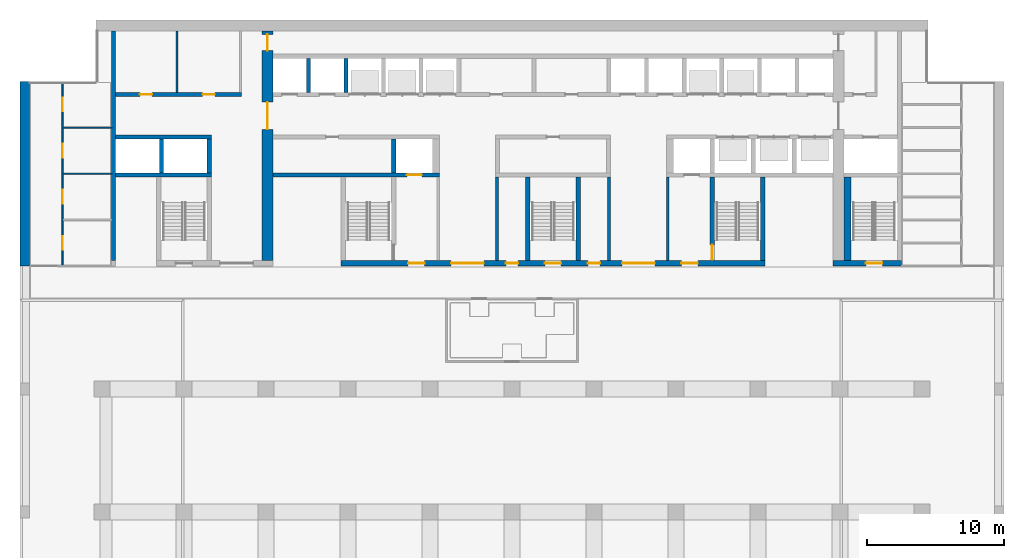
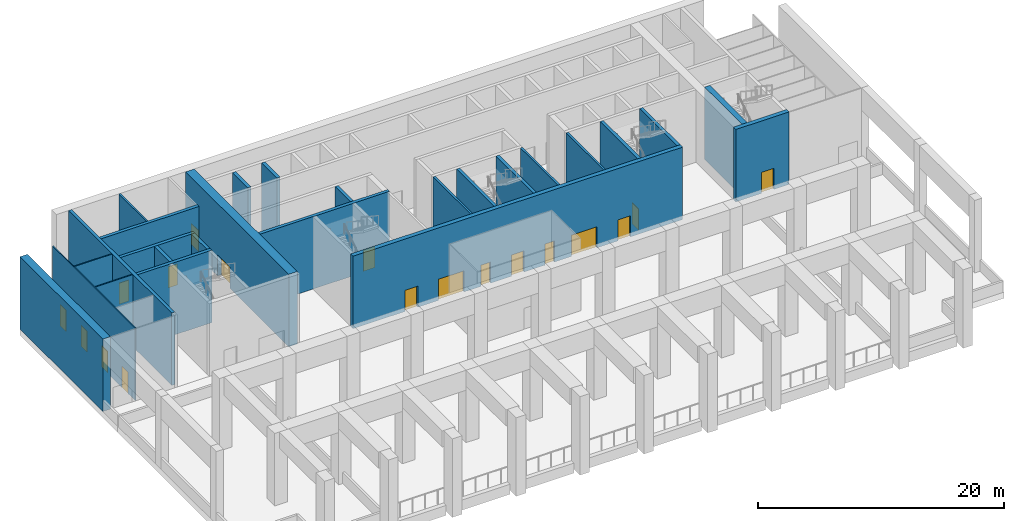
# One storey, part 3 of 10: 26 walls, 18 doors, 18 openings.
"""IFC4 building model written with IfcOpenShell, lengths in metres."""

from ifc_helpers import new_model, si_unit, direction, frame, frame_2d, origin, place, context, subcontext, project, spatial, rectangle, extrude, material, layer, layer_set, type_object, element, fill, save


model = new_model("IFC4")

# Units and contexts
model_context = context("Model", 3, precision=1e-05, world=origin(), true_north=direction((0.0, 1.0)))
body_context = subcontext(model_context, "Body", "Model", "MODEL_VIEW")
ifc_project = project(units=[si_unit("LENGTHUNIT", "METRE"), si_unit("AREAUNIT", "SQUARE_METRE"), si_unit("VOLUMEUNIT", "CUBIC_METRE"), si_unit("PLANEANGLEUNIT", "RADIAN"), si_unit("MASSUNIT", "GRAM", prefix="KILO")], contexts=[model_context])

# Site, building, storey
site_placement = place(None, origin())
site = spatial("IfcSite", under=ifc_project, at=site_placement, CompositionType="ELEMENT")
building_placement = place(site_placement, origin())
building = spatial("IfcBuilding", under=site, at=building_placement, Name="Calvaro Tower", CompositionType="ELEMENT")
storey_placement = place(building_placement, frame((0.0, 0.0, 158.75)))
storey = spatial("IfcBuildingStorey", under=building, at=storey_placement, Name="L40", CompositionType="ELEMENT", Elevation=158.75)

# Walls
ifc_material_1 = material(Name="Blockwork partition", Category="masonry")
ifc_layer_1 = layer(ifc_material_1, 0.14990234375)
ifc_layer_set_1 = layer_set([ifc_layer_1], Name="Blockwork partition")
wall_type_1 = type_object("IfcWallType", Name="Core partition 150 REI 120", PredefinedType="PARTITIONING", material=ifc_layer_set_1)
wall_1_placement = place(storey_placement, frame((11.5, 40.699951171875, 0.0), z_axis=(0.0, 0.0, 1.0), x_axis=(0.0, 1.0, 0.0)))
element("IfcWall", 1, at=wall_1_placement, inside=storey, type_object=wall_type_1, Name="Core partition", PredefinedType="PARTITIONING", context=body_context, shape_type="SweptSolid", body=[
    extrude(rectangle(XDim=4.5, YDim=0.14990234375, at=frame_2d((2.25, 0.0))), origin(), (0.0, 0.0, 1.0), 7.199951171875),
])
ifc_material_2 = material(Name="Blockwork partition", Category="masonry")
ifc_layer_2 = layer(ifc_material_2, 0.199951171875)
ifc_layer_set_2 = layer_set([ifc_layer_2], Name="Blockwork partition")
wall_type_2 = type_object("IfcWallType", Name="Core partition 200 REI 120", PredefinedType="PARTITIONING", material=ifc_layer_set_2)
for number, where, z_axis, x_axis, name in (
    (2, (34.89990234375, 28.39990234375, 0.0), (0.0, 0.0, 1.0), (0.0, 1.0, 0.0), "Core partition"),
    (3, (43.10009765625, 28.39990234375, 0.0), (0.0, 0.0, 1.0), (0.0, 1.0, 0.0), "Core partition"),
    (4, (47.39990234375, 28.39990234375, 0.0), (0.0, 0.0, 1.0), (0.0, 1.0, 0.0), "Core partition"),
):
    element("IfcWall", number, at=place(storey_placement, frame(where, z_axis=z_axis, x_axis=x_axis)), inside=storey, type_object=wall_type_2, Name=name, PredefinedType="PARTITIONING", context=body_context, shape_type="SweptSolid", body=[
        extrude(rectangle(XDim=6.10009765625, YDim=0.199951171875, at=frame_2d((3.050048828125, 0.0))), origin(), (0.0, 0.0, 1.0), 7.199951171875),
    ])

# Wall, openings, doors
ifc_material_3 = material(Name="Blockwork partition", Category="masonry")
ifc_layer_3 = layer(ifc_material_3, 0.300048828125)
ifc_layer_set_3 = layer_set([ifc_layer_3], Name="Blockwork partition")
wall_type_3 = type_object("IfcWallType", Name="Core partition 300 REI 120", PredefinedType="PARTITIONING", material=ifc_layer_set_3)
wall_2_placement = place(storey_placement, frame((7.0, 40.550048828125, 0.0), z_axis=(0.0, 0.0, 1.0), x_axis=(1.0, 0.0, 0.0)))
wall_2 = element("IfcWall", 5, at=wall_2_placement, inside=storey, type_object=wall_type_3, Name="Core partition", PredefinedType="PARTITIONING", context=body_context, shape_type="SweptSolid", body=[
    extrude(rectangle(XDim=9.199951171875, YDim=0.300048828125, at=frame_2d((4.60009765625, 0.0))), origin(), (0.0, 0.0, 1.0), 7.199951171875),
])
opening_1_placement = place(wall_2_placement, frame((1.762451171875, 0.0, 0.0)))
opening_1 = element("IfcOpeningElement", 6, at=opening_1_placement, cuts=wall_2, Name="Opening RD9E", PredefinedType="OPENING", context=body_context, shape_type="SweptSolid", body=[
    extrude(rectangle(XDim=0.89990234375, YDim=2.10009765625, at=frame_2d((0.449951171875, 1.050048828125))), frame((0.0, 0.159912109375, 0.0), z_axis=(0.0, -1.0, 0.0), x_axis=(1.0, 0.0, 0.0)), (0.0, 0.0, 1.0), 0.320068359375),
])
opening_2_placement = place(wall_2_placement, frame((6.362548828125, 0.0, 0.0)))
opening_2 = element("IfcOpeningElement", 7, at=opening_2_placement, cuts=wall_2, Name="Opening RD9E", PredefinedType="OPENING", context=body_context, shape_type="SweptSolid", body=[
    extrude(rectangle(XDim=0.89990234375, YDim=2.10009765625, at=frame_2d((0.449951171875, 1.050048828125))), frame((0.0, 0.159912109375, 0.0), z_axis=(0.0, -1.0, 0.0), x_axis=(1.0, 0.0, 0.0)), (0.0, 0.0, 1.0), 0.320068359375),
])
ifc_material_4 = material(Name="Steel door set", Category="steel")
door_type_1 = type_object("IfcDoorType", Name="Room door 900 FD60", OperationType="SINGLE_SWING_LEFT", PredefinedType="DOOR", material=ifc_material_4)
door_1_placement = place(opening_1_placement, origin())
door_1 = element("IfcDoor", 8, at=door_1_placement, inside=storey, type_object=door_type_1, Name="Room door", OperationType="SINGLE_SWING_LEFT", OverallHeight=2.10009765625, OverallWidth=0.89990234375, PredefinedType="DOOR", context=body_context, shape_type="SweptSolid", body=[
    extrude(rectangle(XDim=0.89990234375, YDim=2.10009765625, at=frame_2d((0.449951171875, 1.050048828125))), frame((0.0, 0.02490234375, 0.0), z_axis=(0.0, -1.0, 0.0), x_axis=(1.0, 0.0, 0.0)), (0.0, 0.0, 1.0), 0.050048828125),
])
fill(opening_1, door_1)
door_2_placement = place(opening_2_placement, origin())
door_2 = element("IfcDoor", 9, at=door_2_placement, inside=storey, type_object=door_type_1, Name="Room door", OperationType="SINGLE_SWING_LEFT", OverallHeight=2.10009765625, OverallWidth=0.89990234375, PredefinedType="DOOR", context=body_context, shape_type="SweptSolid", body=[
    extrude(rectangle(XDim=0.89990234375, YDim=2.10009765625, at=frame_2d((0.449951171875, 1.050048828125))), frame((0.0, 0.02490234375, 0.0), z_axis=(0.0, -1.0, 0.0), x_axis=(1.0, 0.0, 0.0)), (0.0, 0.0, 1.0), 0.050048828125),
])
fill(opening_2, door_2)

# Walls
ifc_material_5 = material(Name="Concrete C60/75", Category="concrete")
ifc_layer_4 = layer(ifc_material_5, 0.300048828125)
ifc_layer_set_4 = layer_set([ifc_layer_4], Name="Concrete C60/75")
wall_type_4 = type_object("IfcWallType", Name="Core wall C60/75 300", PredefinedType="SHEAR", material=ifc_layer_set_4)
wall_3_placement = place(storey_placement, frame((6.85009765625, 28.39990234375, 0.0), z_axis=(0.0, 0.0, 1.0), x_axis=(0.0, 1.0, 0.0)))
element("IfcWall", 10, at=wall_3_placement, inside=storey, type_object=wall_type_4, Name="Core wall, boundary", PredefinedType="SHEAR", context=body_context, shape_type="SweptSolid", body=[
    extrude(rectangle(XDim=16.800048828125, YDim=0.300048828125, at=frame_2d((8.39990234375, 0.0))), origin(), (0.0, 0.0, 1.0), 7.199951171875),
])
for number, where, z_axis, x_axis, name in (
    (11, (37.14990234375, 28.39990234375, 0.0), (0.0, 0.0, 1.0), (0.0, 1.0, 0.0), "Core wall, stair enclosure"),
    (12, (40.85009765625, 28.39990234375, 0.0), (0.0, 0.0, 1.0), (0.0, 1.0, 0.0), "Core wall, stair enclosure"),
):
    element("IfcWall", number, at=place(storey_placement, frame(where, z_axis=z_axis, x_axis=x_axis)), inside=storey, type_object=wall_type_4, Name=name, PredefinedType="SHEAR", context=body_context, shape_type="SweptSolid", body=[
        extrude(rectangle(XDim=6.10009765625, YDim=0.300048828125, at=frame_2d((3.050048828125, 0.0))), origin(), (0.0, 0.0, 1.0), 7.199951171875),
    ])

# Wall, opening, door
wall_4_placement = place(storey_placement, frame((50.64990234375, 34.5, 0.0), z_axis=(0.0, 0.0, 1.0), x_axis=(0.0, -1.0, 0.0)))
wall_4 = element("IfcWall", 13, at=wall_4_placement, inside=storey, type_object=wall_type_4, Name="Core wall, stair enclosure", PredefinedType="SHEAR", context=body_context, shape_type="SweptSolid", body=[
    extrude(rectangle(XDim=6.10009765625, YDim=0.300048828125, at=frame_2d((3.050048828125, 0.0))), origin(), (0.0, 0.0, 1.0), 7.199951171875),
])
opening_3_placement = place(wall_4_placement, frame((4.949951171875, 0.0, 0.0)))
opening_3 = element("IfcOpeningElement", 14, at=opening_3_placement, cuts=wall_4, Name="Opening FD11D", PredefinedType="OPENING", context=body_context, shape_type="SweptSolid", body=[
    extrude(rectangle(XDim=1.10009765625, YDim=2.10009765625, at=frame_2d((0.550048828125, 1.050048828125))), frame((0.0, 0.159912109375, 0.0), z_axis=(0.0, -1.0, 0.0), x_axis=(1.0, 0.0, 0.0)), (0.0, 0.0, 1.0), 0.320068359375),
])
ifc_material_6 = material(Name="Steel door set", Category="steel")
door_type_2 = type_object("IfcDoorType", Name="Fire door 1100 FD30S", OperationType="SINGLE_SWING_LEFT", PredefinedType="DOOR", material=ifc_material_6)
door_3_placement = place(opening_3_placement, origin())
door_3 = element("IfcDoor", 15, at=door_3_placement, inside=storey, type_object=door_type_2, Name="Fire door", OperationType="SINGLE_SWING_RIGHT", OverallHeight=2.10009765625, OverallWidth=1.10009765625, PredefinedType="DOOR", context=body_context, shape_type="SweptSolid", body=[
    extrude(rectangle(XDim=1.10009765625, YDim=2.10009765625, at=frame_2d((0.550048828125, 1.050048828125))), frame((0.0, 0.02490234375, 0.0), z_axis=(0.0, -1.0, 0.0), x_axis=(1.0, 0.0, 0.0)), (0.0, 0.0, 1.0), 0.050048828125),
])
fill(opening_3, door_3)

# Walls
wall_5_placement = place(storey_placement, frame((54.35009765625, 28.39990234375, 0.0), z_axis=(0.0, 0.0, 1.0), x_axis=(0.0, 1.0, 0.0)))
element("IfcWall", 16, at=wall_5_placement, inside=storey, type_object=wall_type_4, Name="Core wall, stair enclosure", PredefinedType="SHEAR", context=body_context, shape_type="SweptSolid", body=[
    extrude(rectangle(XDim=6.10009765625, YDim=0.300048828125, at=frame_2d((3.050048828125, 0.0))), origin(), (0.0, 0.0, 1.0), 7.199951171875),
])
wall_6_placement = place(storey_placement, frame((7.0, 34.64990234375, 0.0), z_axis=(0.0, 0.0, 1.0), x_axis=(1.0, 0.0, 0.0)))
element("IfcWall", 17, at=wall_6_placement, inside=storey, type_object=wall_type_4, Name="Core wall, lift shaft", PredefinedType="SHEAR", context=body_context, shape_type="SweptSolid", body=[
    extrude(rectangle(XDim=7.0, YDim=0.300048828125, at=frame_2d((3.5, 0.0))), origin(), (0.0, 0.0, 1.0), 7.199951171875),
])

# Wall, opening, door
wall_7_placement = place(storey_placement, frame((18.5, 34.64990234375, 0.0), z_axis=(0.0, 0.0, 1.0), x_axis=(1.0, 0.0, 0.0)))
wall_7 = element("IfcWall", 18, at=wall_7_placement, inside=storey, type_object=wall_type_4, Name="Core wall, lift shaft", PredefinedType="SHEAR", context=body_context, shape_type="SweptSolid", body=[
    extrude(rectangle(XDim=12.199951171875, YDim=0.300048828125, at=frame_2d((6.10009765625, 0.0))), origin(), (0.0, 0.0, 1.0), 7.199951171875),
])
opening_4_placement = place(wall_7_placement, frame((9.800048828125, 0.0, 0.0)))
opening_4 = element("IfcOpeningElement", 19, at=opening_4_placement, cuts=wall_7, Name="Opening FF1", PredefinedType="OPENING", context=body_context, shape_type="SweptSolid", body=[
    extrude(rectangle(XDim=1.10009765625, YDim=2.10009765625, at=frame_2d((0.550048828125, 1.050048828125))), frame((0.0, 0.159912109375, 0.0), z_axis=(0.0, -1.0, 0.0), x_axis=(1.0, 0.0, 0.0)), (0.0, 0.0, 1.0), 0.320068359375),
])
ifc_material_7 = material(Name="Stainless steel", Category="steel")
door_type_3 = type_object("IfcDoorType", Name="Landing door 1100 E 60", OperationType="SLIDING_TO_LEFT", PredefinedType="DOOR", material=ifc_material_7)
door_4_placement = place(opening_4_placement, origin())
door_4 = element("IfcDoor", 20, at=door_4_placement, inside=storey, type_object=door_type_3, Name="Landing door FF1", OperationType="SLIDING_TO_LEFT", OverallHeight=2.10009765625, OverallWidth=1.10009765625, PredefinedType="DOOR", context=body_context, shape_type="SweptSolid", body=[
    extrude(rectangle(XDim=1.10009765625, YDim=2.10009765625, at=frame_2d((0.550048828125, 1.050048828125))), frame((0.0, 0.02490234375, 0.0), z_axis=(0.0, -1.0, 0.0), x_axis=(1.0, 0.0, 0.0)), (0.0, 0.0, 1.0), 0.050048828125),
])
fill(opening_4, door_4)

# Walls
wall_8_placement = place(storey_placement, frame((7.0, 37.449951171875, 0.0), z_axis=(0.0, 0.0, 1.0), x_axis=(1.0, 0.0, 0.0)))
element("IfcWall", 21, at=wall_8_placement, inside=storey, type_object=wall_type_4, Name="Core wall, lift shaft", PredefinedType="SHEAR", context=body_context, shape_type="SweptSolid", body=[
    extrude(rectangle(XDim=7.0, YDim=0.300048828125, at=frame_2d((3.5, 0.0))), origin(), (0.0, 0.0, 1.0), 7.199951171875),
])
for number, where, z_axis, x_axis, name in (
    (22, (27.35009765625, 34.800048828125, 0.0), (0.0, 0.0, 1.0), (0.0, 1.0, 0.0), "Core wall, lift shaft"),
    (23, (13.85009765625, 34.800048828125, 0.0), (0.0, 0.0, 1.0), (0.0, 1.0, 0.0), "Core wall, lift shaft"),
    (24, (21.10009765625, 40.699951171875, 0.0), (0.0, 0.0, 1.0), (0.0, 1.0, 0.0), "Core wall, lift shaft"),
    (25, (23.85009765625, 40.699951171875, 0.0), (0.0, 0.0, 1.0), (0.0, 1.0, 0.0), "Core wall, lift shaft"),
    (26, (10.35009765625, 34.800048828125, 0.0), (0.0, 0.0, 1.0), (0.0, 1.0, 0.0), "Core wall, lift shaft"),
):
    element("IfcWall", number, at=place(storey_placement, frame(where, z_axis=z_axis, x_axis=x_axis)), inside=storey, type_object=wall_type_4, Name=name, PredefinedType="SHEAR", context=body_context, shape_type="SweptSolid", body=[
        extrude(rectangle(XDim=2.5, YDim=0.300048828125, at=frame_2d((1.25, 0.0))), origin(), (0.0, 0.0, 1.0), 7.199951171875),
    ])

# Wall, openings, doors
ifc_material_8 = material(Name="Concrete C60/75", Category="concrete")
ifc_layer_5 = layer(ifc_material_8, 0.39990234375)
ifc_layer_set_5 = layer_set([ifc_layer_5], Name="Concrete C60/75")
wall_type_5 = type_object("IfcWallType", Name="Core wall C60/75 400", PredefinedType="SHEAR", material=ifc_layer_set_5)
wall_9_placement = place(storey_placement, frame((54.5, 28.199951171875, 0.0), z_axis=(0.0, 0.0, 1.0), x_axis=(-1.0, 0.0, 0.0)))
wall_9 = element("IfcWall", 27, at=wall_9_placement, inside=storey, type_object=wall_type_5, Name="Core wall, front", PredefinedType="SHEAR", context=body_context, shape_type="SweptSolid", body=[
    extrude(rectangle(XDim=31.0, YDim=0.39990234375, at=frame_2d((15.5, 0.0))), origin(), (0.0, 0.0, 1.0), 7.199951171875),
])
opening_5_placement = place(wall_9_placement, frame((14.89990234375, 0.0, 0.0)))
opening_5 = element("IfcOpeningElement", 28, at=opening_5_placement, cuts=wall_9, Name="Opening SD12D", PredefinedType="OPENING", context=body_context, shape_type="SweptSolid", body=[
    extrude(rectangle(XDim=1.199951171875, YDim=2.10009765625, at=frame_2d((0.60009765625, 1.050048828125))), frame((0.0, 0.2099609375, 0.0), z_axis=(0.0, -1.0, 0.0), x_axis=(1.0, 0.0, 0.0)), (0.0, 0.0, 1.0), 0.419921875),
])
opening_6_placement = place(wall_9_placement, frame((24.89990234375, 0.0, 0.0)))
opening_6 = element("IfcOpeningElement", 29, at=opening_6_placement, cuts=wall_9, Name="Opening FD12F", PredefinedType="OPENING", context=body_context, shape_type="SweptSolid", body=[
    extrude(rectangle(XDim=1.199951171875, YDim=2.10009765625, at=frame_2d((0.60009765625, 1.050048828125))), frame((0.0, 0.2099609375, 0.0), z_axis=(0.0, -1.0, 0.0), x_axis=(1.0, 0.0, 0.0)), (0.0, 0.0, 1.0), 0.419921875),
])
opening_7_placement = place(wall_9_placement, frame((4.89990234375, 0.0, 0.0)))
opening_7 = element("IfcOpeningElement", 30, at=opening_7_placement, cuts=wall_9, Name="Opening FD12F", PredefinedType="OPENING", context=body_context, shape_type="SweptSolid", body=[
    extrude(rectangle(XDim=1.199951171875, YDim=2.10009765625, at=frame_2d((0.60009765625, 1.050048828125))), frame((0.0, 0.2099609375, 0.0), z_axis=(0.0, -1.0, 0.0), x_axis=(1.0, 0.0, 0.0)), (0.0, 0.0, 1.0), 0.419921875),
])
opening_8_placement = place(wall_9_placement, frame((20.550048828125, 0.0, 0.0)))
opening_8 = element("IfcOpeningElement", 31, at=opening_8_placement, cuts=wall_9, Name="Opening DD24D", PredefinedType="OPENING", context=body_context, shape_type="SweptSolid", body=[
    extrude(rectangle(XDim=2.39990234375, YDim=2.10009765625, at=frame_2d((1.199951171875, 1.050048828125))), frame((0.0, 0.2099609375, 0.0), z_axis=(0.0, -1.0, 0.0), x_axis=(1.0, 0.0, 0.0)), (0.0, 0.0, 1.0), 0.419921875),
])
opening_9_placement = place(wall_9_placement, frame((8.050048828125, 0.0, 0.0)))
opening_9 = element("IfcOpeningElement", 32, at=opening_9_placement, cuts=wall_9, Name="Opening DD24D", PredefinedType="OPENING", context=body_context, shape_type="SweptSolid", body=[
    extrude(rectangle(XDim=2.39990234375, YDim=2.10009765625, at=frame_2d((1.199951171875, 1.050048828125))), frame((0.0, 0.2099609375, 0.0), z_axis=(0.0, -1.0, 0.0), x_axis=(1.0, 0.0, 0.0)), (0.0, 0.0, 1.0), 0.419921875),
])
opening_10_placement = place(wall_9_placement, frame((18.050048828125, 0.0, 0.0)))
opening_10 = element("IfcOpeningElement", 33, at=opening_10_placement, cuts=wall_9, Name="Opening RD9E", PredefinedType="OPENING", context=body_context, shape_type="SweptSolid", body=[
    extrude(rectangle(XDim=0.89990234375, YDim=2.10009765625, at=frame_2d((0.449951171875, 1.050048828125))), frame((0.0, 0.2099609375, 0.0), z_axis=(0.0, -1.0, 0.0), x_axis=(1.0, 0.0, 0.0)), (0.0, 0.0, 1.0), 0.419921875),
])
opening_11_placement = place(wall_9_placement, frame((12.050048828125, 0.0, 0.0)))
opening_11 = element("IfcOpeningElement", 34, at=opening_11_placement, cuts=wall_9, Name="Opening RD9E", PredefinedType="OPENING", context=body_context, shape_type="SweptSolid", body=[
    extrude(rectangle(XDim=0.89990234375, YDim=2.10009765625, at=frame_2d((0.449951171875, 1.050048828125))), frame((0.0, 0.2099609375, 0.0), z_axis=(0.0, -1.0, 0.0), x_axis=(1.0, 0.0, 0.0)), (0.0, 0.0, 1.0), 0.419921875),
])
ifc_material_9 = material(Name="Steel door set", Category="steel")
door_type_4 = type_object("IfcDoorType", Name="Fire door 1200 FD60S", OperationType="SINGLE_SWING_LEFT", PredefinedType="DOOR", material=ifc_material_9)
door_5_placement = place(opening_6_placement, origin())
door_5 = element("IfcDoor", 35, at=door_5_placement, inside=storey, type_object=door_type_4, Name="Fire door", OperationType="SINGLE_SWING_RIGHT", OverallHeight=2.10009765625, OverallWidth=1.199951171875, PredefinedType="DOOR", context=body_context, shape_type="SweptSolid", body=[
    extrude(rectangle(XDim=1.199951171875, YDim=2.10009765625, at=frame_2d((0.60009765625, 1.050048828125))), frame((0.0, 0.02490234375, 0.0), z_axis=(0.0, -1.0, 0.0), x_axis=(1.0, 0.0, 0.0)), (0.0, 0.0, 1.0), 0.050048828125),
])
fill(opening_6, door_5)
door_6_placement = place(opening_7_placement, origin())
door_6 = element("IfcDoor", 36, at=door_6_placement, inside=storey, type_object=door_type_4, Name="Fire door", OperationType="SINGLE_SWING_RIGHT", OverallHeight=2.10009765625, OverallWidth=1.199951171875, PredefinedType="DOOR", context=body_context, shape_type="SweptSolid", body=[
    extrude(rectangle(XDim=1.199951171875, YDim=2.10009765625, at=frame_2d((0.60009765625, 1.050048828125))), frame((0.0, 0.02490234375, 0.0), z_axis=(0.0, -1.0, 0.0), x_axis=(1.0, 0.0, 0.0)), (0.0, 0.0, 1.0), 0.050048828125),
])
fill(opening_7, door_6)
ifc_material_10 = material(Name="Steel door set", Category="steel")
door_type_5 = type_object("IfcDoorType", Name="Lobby double door 2400 FD30S", OperationType="DOUBLE_DOOR_SINGLE_SWING", PredefinedType="DOOR", material=ifc_material_10)
door_7_placement = place(opening_8_placement, origin())
door_7 = element("IfcDoor", 37, at=door_7_placement, inside=storey, type_object=door_type_5, Name="Lobby double door", OperationType="DOUBLE_DOOR_SINGLE_SWING", OverallHeight=2.10009765625, OverallWidth=2.39990234375, PredefinedType="DOOR", context=body_context, shape_type="SweptSolid", body=[
    extrude(rectangle(XDim=2.39990234375, YDim=2.10009765625, at=frame_2d((1.199951171875, 1.050048828125))), frame((0.0, 0.02490234375, 0.0), z_axis=(0.0, -1.0, 0.0), x_axis=(1.0, 0.0, 0.0)), (0.0, 0.0, 1.0), 0.050048828125),
])
fill(opening_8, door_7)
door_8_placement = place(opening_9_placement, origin())
door_8 = element("IfcDoor", 38, at=door_8_placement, inside=storey, type_object=door_type_5, Name="Lobby double door", OperationType="DOUBLE_DOOR_SINGLE_SWING", OverallHeight=2.10009765625, OverallWidth=2.39990234375, PredefinedType="DOOR", context=body_context, shape_type="SweptSolid", body=[
    extrude(rectangle(XDim=2.39990234375, YDim=2.10009765625, at=frame_2d((1.199951171875, 1.050048828125))), frame((0.0, 0.02490234375, 0.0), z_axis=(0.0, -1.0, 0.0), x_axis=(1.0, 0.0, 0.0)), (0.0, 0.0, 1.0), 0.050048828125),
])
fill(opening_9, door_8)
door_9_placement = place(opening_10_placement, origin())
door_9 = element("IfcDoor", 39, at=door_9_placement, inside=storey, type_object=door_type_1, Name="Room door", OperationType="SINGLE_SWING_RIGHT", OverallHeight=2.10009765625, OverallWidth=0.89990234375, PredefinedType="DOOR", context=body_context, shape_type="SweptSolid", body=[
    extrude(rectangle(XDim=0.89990234375, YDim=2.10009765625, at=frame_2d((0.449951171875, 1.050048828125))), frame((0.0, 0.02490234375, 0.0), z_axis=(0.0, -1.0, 0.0), x_axis=(1.0, 0.0, 0.0)), (0.0, 0.0, 1.0), 0.050048828125),
])
fill(opening_10, door_9)
door_10_placement = place(opening_11_placement, origin())
door_10 = element("IfcDoor", 40, at=door_10_placement, inside=storey, type_object=door_type_1, Name="Room door", OperationType="SINGLE_SWING_RIGHT", OverallHeight=2.10009765625, OverallWidth=0.89990234375, PredefinedType="DOOR", context=body_context, shape_type="SweptSolid", body=[
    extrude(rectangle(XDim=0.89990234375, YDim=2.10009765625, at=frame_2d((0.449951171875, 1.050048828125))), frame((0.0, 0.02490234375, 0.0), z_axis=(0.0, -1.0, 0.0), x_axis=(1.0, 0.0, 0.0)), (0.0, 0.0, 1.0), 0.050048828125),
])
fill(opening_11, door_10)
ifc_material_11 = material(Name="Steel door set", Category="steel")
door_type_6 = type_object("IfcDoorType", Name="Stair door 1200 FD30S", OperationType="SINGLE_SWING_LEFT", PredefinedType="DOOR", material=ifc_material_11)
door_11_placement = place(opening_5_placement, origin())
door_11 = element("IfcDoor", 41, at=door_11_placement, inside=storey, type_object=door_type_6, Name="Stair door", OperationType="SINGLE_SWING_RIGHT", OverallHeight=2.10009765625, OverallWidth=1.199951171875, PredefinedType="DOOR", context=body_context, shape_type="SweptSolid", body=[
    extrude(rectangle(XDim=1.199951171875, YDim=2.10009765625, at=frame_2d((0.60009765625, 1.050048828125))), frame((0.0, 0.02490234375, 0.0), z_axis=(0.0, -1.0, 0.0), x_axis=(1.0, 0.0, 0.0)), (0.0, 0.0, 1.0), 0.050048828125),
])
fill(opening_5, door_11)

# Wall, opening, door
wall_10_placement = place(storey_placement, frame((59.5, 28.199951171875, 0.0), z_axis=(0.0, 0.0, 1.0), x_axis=(1.0, 0.0, 0.0)))
wall_10 = element("IfcWall", 42, at=wall_10_placement, inside=storey, type_object=wall_type_5, Name="Core wall, front", PredefinedType="SHEAR", context=body_context, shape_type="SweptSolid", body=[
    extrude(rectangle(XDim=5.0, YDim=0.39990234375, at=frame_2d((2.5, 0.0))), origin(), (0.0, 0.0, 1.0), 7.199951171875),
])
opening_12_placement = place(wall_10_placement, frame((2.39990234375, 0.0, 0.0)))
opening_12 = element("IfcOpeningElement", 43, at=opening_12_placement, cuts=wall_10, Name="Opening SD12D", PredefinedType="OPENING", context=body_context, shape_type="SweptSolid", body=[
    extrude(rectangle(XDim=1.199951171875, YDim=2.10009765625, at=frame_2d((0.60009765625, 1.050048828125))), frame((0.0, 0.2099609375, 0.0), z_axis=(0.0, -1.0, 0.0), x_axis=(1.0, 0.0, 0.0)), (0.0, 0.0, 1.0), 0.419921875),
])
door_12_placement = place(opening_12_placement, origin())
door_12 = element("IfcDoor", 44, at=door_12_placement, inside=storey, type_object=door_type_6, Name="Stair door", OperationType="SINGLE_SWING_LEFT", OverallHeight=2.10009765625, OverallWidth=1.199951171875, PredefinedType="DOOR", context=body_context, shape_type="SweptSolid", body=[
    extrude(rectangle(XDim=1.199951171875, YDim=2.10009765625, at=frame_2d((0.60009765625, 1.050048828125))), frame((0.0, 0.02490234375, 0.0), z_axis=(0.0, -1.0, 0.0), x_axis=(1.0, 0.0, 0.0)), (0.0, 0.0, 1.0), 0.050048828125),
])
fill(opening_12, door_12)

# Wall
ifc_material_12 = material(Name="Concrete C60/75", Category="concrete")
ifc_layer_6 = layer(ifc_material_12, 0.5)
ifc_layer_set_6 = layer_set([ifc_layer_6], Name="Concrete C60/75")
wall_type_6 = type_object("IfcWallType", Name="Core wall C60/75 500", PredefinedType="SHEAR", material=ifc_layer_set_6)
wall_11_placement = place(storey_placement, frame((60.550048828125, 28.39990234375, 0.0), z_axis=(0.0, 0.0, 1.0), x_axis=(0.0, 1.0, 0.0)))
element("IfcWall", 45, at=wall_11_placement, inside=storey, type_object=wall_type_6, Name="Core wall, stair enclosure", PredefinedType="SHEAR", context=body_context, shape_type="SweptSolid", body=[
    extrude(rectangle(XDim=6.10009765625, YDim=0.5, at=frame_2d((3.050048828125, 0.0))), origin(), (0.0, 0.0, 1.0), 7.199951171875),
])

# Wall, openings, doors
ifc_material_13 = material(Name="Concrete C60/75", Category="concrete")
ifc_layer_7 = layer(ifc_material_13, 0.800048828125)
ifc_layer_set_7 = layer_set([ifc_layer_7], Name="Concrete C60/75")
wall_type_7 = type_object("IfcWallType", Name="Core wall C60/75 800", PredefinedType="SHEAR", material=ifc_layer_set_7)
wall_12_placement = place(storey_placement, frame((18.10009765625, 28.39990234375, 0.0), z_axis=(0.0, 0.0, 1.0), x_axis=(0.0, 1.0, 0.0)))
wall_12 = element("IfcWall", 46, at=wall_12_placement, inside=storey, type_object=wall_type_7, Name="Core wall, cross shear wall", PredefinedType="SHEAR", context=body_context, shape_type="SweptSolid", body=[
    extrude(rectangle(XDim=16.800048828125, YDim=0.800048828125, at=frame_2d((8.39990234375, 0.0))), origin(), (0.0, 0.0, 1.0), 7.199951171875),
])
opening_13_placement = place(wall_12_placement, frame((9.60009765625, 0.0, 0.0)))
opening_13 = element("IfcOpeningElement", 47, at=opening_13_placement, cuts=wall_12, Name="Opening DD20D", PredefinedType="OPENING", context=body_context, shape_type="SweptSolid", body=[
    extrude(rectangle(XDim=2.0, YDim=2.10009765625, at=frame_2d((1.0, 1.050048828125))), frame((0.0, 0.409912109375, 0.0), z_axis=(0.0, -1.0, 0.0), x_axis=(1.0, 0.0, 0.0)), (0.0, 0.0, 1.0), 0.820068359375),
])
opening_14_placement = place(wall_12_placement, frame((15.35009765625, 0.0, 0.0)))
opening_14 = element("IfcOpeningElement", 48, at=opening_14_placement, cuts=wall_12, Name="Opening FD12C", PredefinedType="OPENING", context=body_context, shape_type="SweptSolid", body=[
    extrude(rectangle(XDim=1.199951171875, YDim=2.10009765625, at=frame_2d((0.60009765625, 1.050048828125))), frame((0.0, 0.409912109375, 0.0), z_axis=(0.0, -1.0, 0.0), x_axis=(1.0, 0.0, 0.0)), (0.0, 0.0, 1.0), 0.820068359375),
])
ifc_material_14 = material(Name="Steel door set", Category="steel")
door_type_7 = type_object("IfcDoorType", Name="Fire door 1200 FD30", OperationType="SINGLE_SWING_LEFT", PredefinedType="DOOR", material=ifc_material_14)
door_13_placement = place(opening_14_placement, origin())
door_13 = element("IfcDoor", 49, at=door_13_placement, inside=storey, type_object=door_type_7, Name="Fire door", OperationType="SINGLE_SWING_LEFT", OverallHeight=2.10009765625, OverallWidth=1.199951171875, PredefinedType="DOOR", context=body_context, shape_type="SweptSolid", body=[
    extrude(rectangle(XDim=1.199951171875, YDim=2.10009765625, at=frame_2d((0.60009765625, 1.050048828125))), frame((0.0, 0.02490234375, 0.0), z_axis=(0.0, -1.0, 0.0), x_axis=(1.0, 0.0, 0.0)), (0.0, 0.0, 1.0), 0.050048828125),
])
fill(opening_14, door_13)
ifc_material_15 = material(Name="Steel door set", Category="steel")
door_type_8 = type_object("IfcDoorType", Name="Lobby double door 2000 FD30S", OperationType="DOUBLE_DOOR_SINGLE_SWING", PredefinedType="DOOR", material=ifc_material_15)
door_14_placement = place(opening_13_placement, origin())
door_14 = element("IfcDoor", 50, at=door_14_placement, inside=storey, type_object=door_type_8, Name="Lobby double door", OperationType="DOUBLE_DOOR_SINGLE_SWING", OverallHeight=2.10009765625, OverallWidth=2.0, PredefinedType="DOOR", context=body_context, shape_type="SweptSolid", body=[
    extrude(rectangle(XDim=2.0, YDim=2.10009765625, at=frame_2d((1.0, 1.050048828125))), frame((0.0, 0.02490234375, 0.0), z_axis=(0.0, -1.0, 0.0), x_axis=(1.0, 0.0, 0.0)), (0.0, 0.0, 1.0), 0.050048828125),
])
fill(opening_13, door_14)

# Walls
ifc_material_16 = material(Name="Concrete C60/75", Category="concrete")
ifc_layer_8 = layer(ifc_material_16, 0.699951171875)
ifc_layer_set_8 = layer_set([ifc_layer_8], Name="Concrete C60/75")
wall_type_8 = type_object("IfcWallType", Name="End wall 700 C60/75", PredefinedType="SHEAR", material=ifc_layer_set_8)
wall_13_placement = place(storey_placement, frame((0.35009765625, 28.0, 0.0), z_axis=(0.0, 0.0, 1.0), x_axis=(0.0, 1.0, 0.0)))
element("IfcWall", 51, at=wall_13_placement, inside=storey, type_object=wall_type_8, Name="End shear wall", PredefinedType="SHEAR", context=body_context, shape_type="SweptSolid", body=[
    extrude(rectangle(XDim=13.5, YDim=0.699951171875, at=frame_2d((6.75, 0.0))), origin(), (0.0, 0.0, 1.0), 7.199951171875),
])
ifc_material_17 = material(Name="Plasterboard on steel studs", Category="steel")
ifc_layer_9 = layer(ifc_material_17, 0.10009765625)
ifc_layer_set_9 = layer_set([ifc_layer_9], Name="Plasterboard on steel studs")
wall_type_9 = type_object("IfcWallType", Name="Partition 100", PredefinedType="PARTITIONING", material=ifc_layer_set_9)
for number, where, z_axis, x_axis, name in (
    (52, (3.14990234375, 34.75, 0.0), (0.0, 0.0, 1.0), (1.0, 0.0, 0.0), "Partition T24.W009"),
    (53, (3.14990234375, 38.1201171875, 0.0), (0.0, 0.0, 1.0), (1.0, 0.0, 0.0), "Partition T24.W012"),
):
    element("IfcWall", number, at=place(storey_placement, frame(where, z_axis=z_axis, x_axis=x_axis)), inside=storey, type_object=wall_type_9, Name=name, PredefinedType="PARTITIONING", context=body_context, shape_type="SweptSolid", body=[
        extrude(rectangle(XDim=3.550048828125, YDim=0.10009765625, at=frame_2d((1.77490234375, 0.0))), origin(), (0.0, 0.0, 1.0), 7.199951171875),
    ])

# Wall, openings, doors
wall_14_placement = place(storey_placement, frame((3.10009765625, 28.050048828125, 0.0), z_axis=(0.0, 0.0, 1.0), x_axis=(0.0, 1.0, 0.0)))
wall_14 = element("IfcWall", 54, at=wall_14_placement, inside=storey, type_object=wall_type_9, Name="Partition T24.W015", PredefinedType="PARTITIONING", context=body_context, shape_type="SweptSolid", body=[
    extrude(rectangle(XDim=13.449951171875, YDim=0.10009765625, at=frame_2d((6.72509765625, 0.0))), origin(), (0.0, 0.0, 1.0), 7.199951171875),
])
opening_15_placement = place(wall_14_placement, frame((1.139892578125, 0.0, 0.0)))
opening_15 = element("IfcOpeningElement", 55, at=opening_15_placement, cuts=wall_14, Name="Opening T24.007", PredefinedType="OPENING", context=body_context, shape_type="SweptSolid", body=[
    extrude(rectangle(XDim=1.0, YDim=2.10009765625, at=frame_2d((0.5, 1.050048828125))), frame((0.0, 0.06005859375, 0.0), z_axis=(0.0, -1.0, 0.0), x_axis=(1.0, 0.0, 0.0)), (0.0, 0.0, 1.0), 0.1201171875),
])
opening_16_placement = place(wall_14_placement, frame((4.514892578125, 0.0, 0.0)))
opening_16 = element("IfcOpeningElement", 56, at=opening_16_placement, cuts=wall_14, Name="Opening T24.010", PredefinedType="OPENING", context=body_context, shape_type="SweptSolid", body=[
    extrude(rectangle(XDim=1.0, YDim=2.10009765625, at=frame_2d((0.5, 1.050048828125))), frame((0.0, 0.06005859375, 0.0), z_axis=(0.0, -1.0, 0.0), x_axis=(1.0, 0.0, 0.0)), (0.0, 0.0, 1.0), 0.1201171875),
])
opening_17_placement = place(wall_14_placement, frame((7.885009765625, 0.0, 0.0)))
opening_17 = element("IfcOpeningElement", 57, at=opening_17_placement, cuts=wall_14, Name="Opening T24.013", PredefinedType="OPENING", context=body_context, shape_type="SweptSolid", body=[
    extrude(rectangle(XDim=1.0, YDim=2.10009765625, at=frame_2d((0.5, 1.050048828125))), frame((0.0, 0.06005859375, 0.0), z_axis=(0.0, -1.0, 0.0), x_axis=(1.0, 0.0, 0.0)), (0.0, 0.0, 1.0), 0.1201171875),
])
opening_18_placement = place(wall_14_placement, frame((11.260009765625, 0.0, 0.0)))
opening_18 = element("IfcOpeningElement", 58, at=opening_18_placement, cuts=wall_14, Name="Opening T24.016", PredefinedType="OPENING", context=body_context, shape_type="SweptSolid", body=[
    extrude(rectangle(XDim=1.0, YDim=2.10009765625, at=frame_2d((0.5, 1.050048828125))), frame((0.0, 0.06005859375, 0.0), z_axis=(0.0, -1.0, 0.0), x_axis=(1.0, 0.0, 0.0)), (0.0, 0.0, 1.0), 0.1201171875),
])
ifc_material_18 = material(Name="Timber", Category="wood")
door_type_9 = type_object("IfcDoorType", Name="Internal single door 1000 x 2100", OperationType="SINGLE_SWING_LEFT", PredefinedType="DOOR", material=ifc_material_18)
door_15_placement = place(opening_15_placement, origin())
door_15 = element("IfcDoor", 59, at=door_15_placement, inside=storey, type_object=door_type_9, Name="Door T24.007", OperationType="SINGLE_SWING_LEFT", OverallHeight=2.10009765625, OverallWidth=1.0, PredefinedType="DOOR", context=body_context, shape_type="SweptSolid", body=[
    extrude(rectangle(XDim=1.0, YDim=2.10009765625, at=frame_2d((0.5, 1.050048828125))), frame((0.0, 0.02490234375, 0.0), z_axis=(0.0, -1.0, 0.0), x_axis=(1.0, 0.0, 0.0)), (0.0, 0.0, 1.0), 0.050048828125),
])
fill(opening_15, door_15)
door_16_placement = place(opening_16_placement, origin())
door_16 = element("IfcDoor", 60, at=door_16_placement, inside=storey, type_object=door_type_9, Name="Door T24.010", OperationType="SINGLE_SWING_LEFT", OverallHeight=2.10009765625, OverallWidth=1.0, PredefinedType="DOOR", context=body_context, shape_type="SweptSolid", body=[
    extrude(rectangle(XDim=1.0, YDim=2.10009765625, at=frame_2d((0.5, 1.050048828125))), frame((0.0, 0.02490234375, 0.0), z_axis=(0.0, -1.0, 0.0), x_axis=(1.0, 0.0, 0.0)), (0.0, 0.0, 1.0), 0.050048828125),
])
fill(opening_16, door_16)
door_17_placement = place(opening_17_placement, origin())
door_17 = element("IfcDoor", 61, at=door_17_placement, inside=storey, type_object=door_type_9, Name="Door T24.013", OperationType="SINGLE_SWING_RIGHT", OverallHeight=2.10009765625, OverallWidth=1.0, PredefinedType="DOOR", context=body_context, shape_type="SweptSolid", body=[
    extrude(rectangle(XDim=1.0, YDim=2.10009765625, at=frame_2d((0.5, 1.050048828125))), frame((0.0, 0.02490234375, 0.0), z_axis=(0.0, -1.0, 0.0), x_axis=(1.0, 0.0, 0.0)), (0.0, 0.0, 1.0), 0.050048828125),
])
fill(opening_17, door_17)
door_18_placement = place(opening_18_placement, origin())
door_18 = element("IfcDoor", 62, at=door_18_placement, inside=storey, type_object=door_type_9, Name="Door T24.016", OperationType="SINGLE_SWING_RIGHT", OverallHeight=2.10009765625, OverallWidth=1.0, PredefinedType="DOOR", context=body_context, shape_type="SweptSolid", body=[
    extrude(rectangle(XDim=1.0, YDim=2.10009765625, at=frame_2d((0.5, 1.050048828125))), frame((0.0, 0.02490234375, 0.0), z_axis=(0.0, -1.0, 0.0), x_axis=(1.0, 0.0, 0.0)), (0.0, 0.0, 1.0), 0.050048828125),
])
fill(opening_18, door_18)

save(model, "model.ifc")
